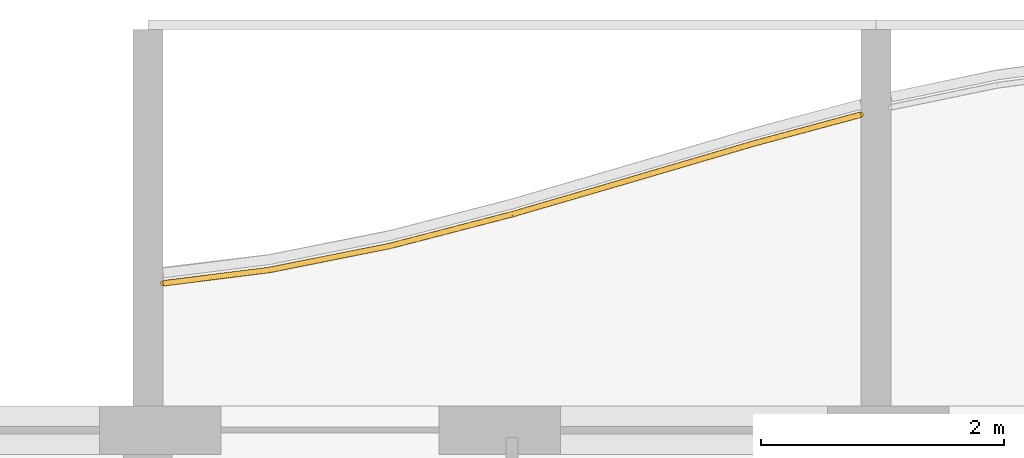
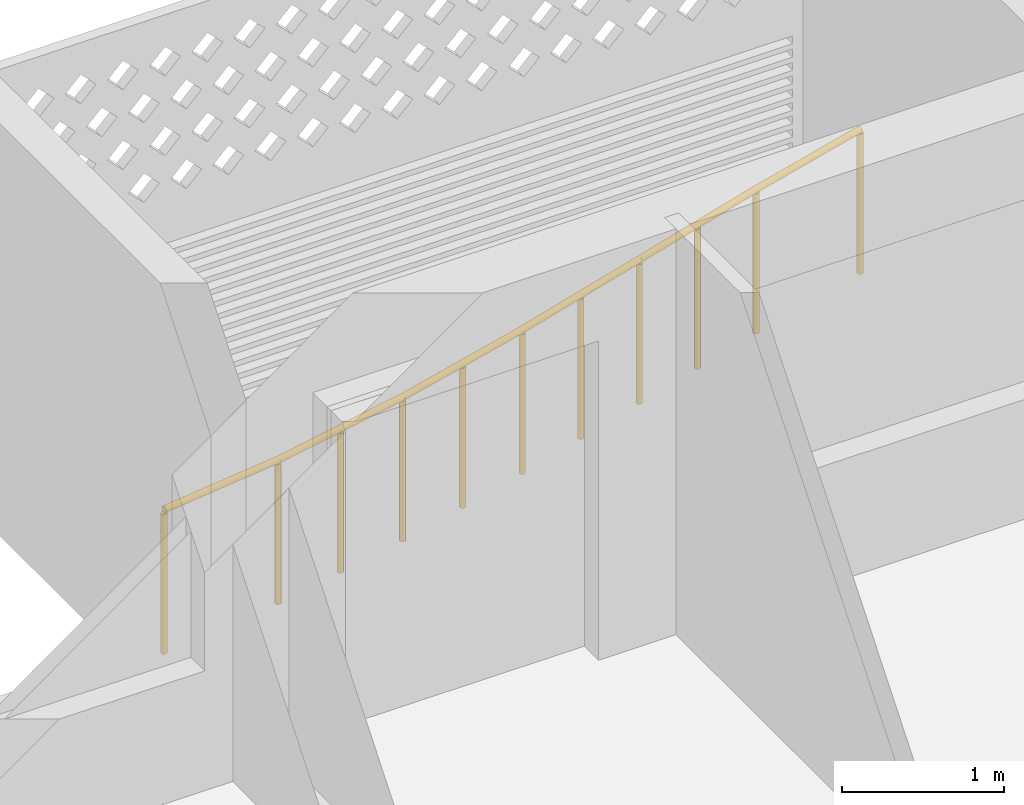
# One storey, part 25 of 39: 1 railing.
"""IFC4 building model written with IfcOpenShell, lengths in metres."""

from ifc_helpers import new_model, si_unit, direction, frame, origin, origin_2d, place, context, subcontext, project, spatial, circle, extrude, material, type_object, element, save


model = new_model("IFC4")

# Units and contexts
model_context = context("Model", 3, precision=1e-05, world=origin(), true_north=direction((0.0, 1.0)))
body_context = subcontext(model_context, "Body", "Model", "MODEL_VIEW")
ifc_project = project(units=[si_unit("LENGTHUNIT", "METRE"), si_unit("AREAUNIT", "SQUARE_METRE"), si_unit("VOLUMEUNIT", "CUBIC_METRE"), si_unit("PLANEANGLEUNIT", "RADIAN"), si_unit("MASSUNIT", "GRAM", prefix="KILO")], contexts=[model_context])

# Site, building, storey
site_placement = place(None, origin())
site = spatial("IfcSite", under=ifc_project, at=site_placement, CompositionType="ELEMENT")
building_placement = place(site_placement, origin())
building = spatial("IfcBuilding", under=site, at=building_placement, Name="Poui Terraces", CompositionType="ELEMENT")
storey_placement = place(building_placement, frame((0.0, 0.0, 56.39990234375)))
storey = spatial("IfcBuildingStorey", under=building, at=storey_placement, Name="L15", CompositionType="ELEMENT", Elevation=56.39990234375)

# Railing
ifc_material = material(Name="Painted steel fretwork", Category="steel")
railing_type = type_object("IfcRailingType", Name="BALCONY GUARD 1100", PredefinedType="GUARDRAIL", material=ifc_material)
railing_placement = place(storey_placement, frame((36.125, 46.010009765625, 0.0)))
element("IfcRailing", 1, at=railing_placement, inside=storey, type_object=railing_type, Name="BALCONY GUARD", PredefinedType="GUARDRAIL", context=body_context, shape_type="SweptSolid", body=[
    extrude(circle(Radius=0.02392578125, at=origin_2d()), frame((0.0, 0.0, 1.076171875), z_axis=(0.99220958069, 0.124579885968, 0.0), x_axis=(-0.124579885968, 0.99220958069, 0.0)), (0.0, 0.0, 1.0), 0.8818359375),
    extrude(circle(Radius=0.02392578125, at=origin_2d()), frame((0.875, 0.10986328125, 1.076171875), z_axis=(0.980635885947, 0.19583988152, 0.0), x_axis=(-0.19583988152, 0.980635885947, 0.0)), (0.0, 0.0, 1.0), 1.019775390625),
    extrude(circle(Radius=0.02392578125, at=origin_2d()), frame((1.875, 0.3095703125, 1.076171875), z_axis=(0.968050037836, 0.250757102086, 0.0), x_axis=(-0.250757102086, 0.968050037836, 0.0)), (0.0, 0.0, 1.0), 1.032958984375),
    extrude(circle(Radius=0.02392578125, at=origin_2d()), frame((2.875, 0.568603515625, 1.076171875), z_axis=(0.960041991036, 0.279855990551, 0.0), x_axis=(-0.279855990551, 0.960041991036, 0.0)), (0.0, 0.0, 1.0), 1.04150390625),
    extrude(circle(Radius=0.02392578125, at=origin_2d()), frame((3.875, 0.860107421875, 1.076171875), z_axis=(0.959346851742, 0.282229725671, 0.0), x_axis=(-0.282229725671, 0.959346851742, 0.0)), (0.0, 0.0, 1.0), 1.04248046875),
    extrude(circle(Radius=0.02392578125, at=origin_2d()), frame((4.875, 1.154296875, 1.076171875), z_axis=(0.965610555684, 0.259992797499, 0.0), x_axis=(-0.259992797499, 0.965610555684, 0.0)), (0.0, 0.0, 1.0), 0.90625),
    extrude(circle(Radius=0.02099609375, at=origin_2d()), origin(), (0.0, 0.0, 1.0), 1.052001953125),
    extrude(circle(Radius=0.02099609375, at=origin_2d()), frame((0.875, 0.10986328125, 0.0)), (0.0, 0.0, 1.0), 1.052001953125),
    extrude(circle(Radius=0.02099609375, at=origin_2d()), frame((1.375, 0.209716796875, 0.0)), (0.0, 0.0, 1.0), 1.052001953125),
    extrude(circle(Radius=0.02099609375, at=origin_2d()), frame((1.875, 0.3095703125, 0.0)), (0.0, 0.0, 1.0), 1.052001953125),
    extrude(circle(Radius=0.02099609375, at=origin_2d()), frame((2.375, 0.43896484375, 0.0)), (0.0, 0.0, 1.0), 1.052001953125),
    extrude(circle(Radius=0.02099609375, at=origin_2d()), frame((2.875, 0.568603515625, 0.0)), (0.0, 0.0, 1.0), 1.052001953125),
    extrude(circle(Radius=0.02099609375, at=origin_2d()), frame((3.375, 0.71435546875, 0.0)), (0.0, 0.0, 1.0), 1.052001953125),
    extrude(circle(Radius=0.02099609375, at=origin_2d()), frame((3.875, 0.860107421875, 0.0)), (0.0, 0.0, 1.0), 1.052001953125),
    extrude(circle(Radius=0.02099609375, at=origin_2d()), frame((4.375, 1.00732421875, 0.0)), (0.0, 0.0, 1.0), 1.052001953125),
    extrude(circle(Radius=0.02099609375, at=origin_2d()), frame((4.875, 1.154296875, 0.0)), (0.0, 0.0, 1.0), 1.052001953125),
    extrude(circle(Radius=0.02099609375, at=origin_2d()), frame((5.75, 1.389892578125, 0.0)), (0.0, 0.0, 1.0), 1.052001953125),
])

save(model, "model.ifc")
